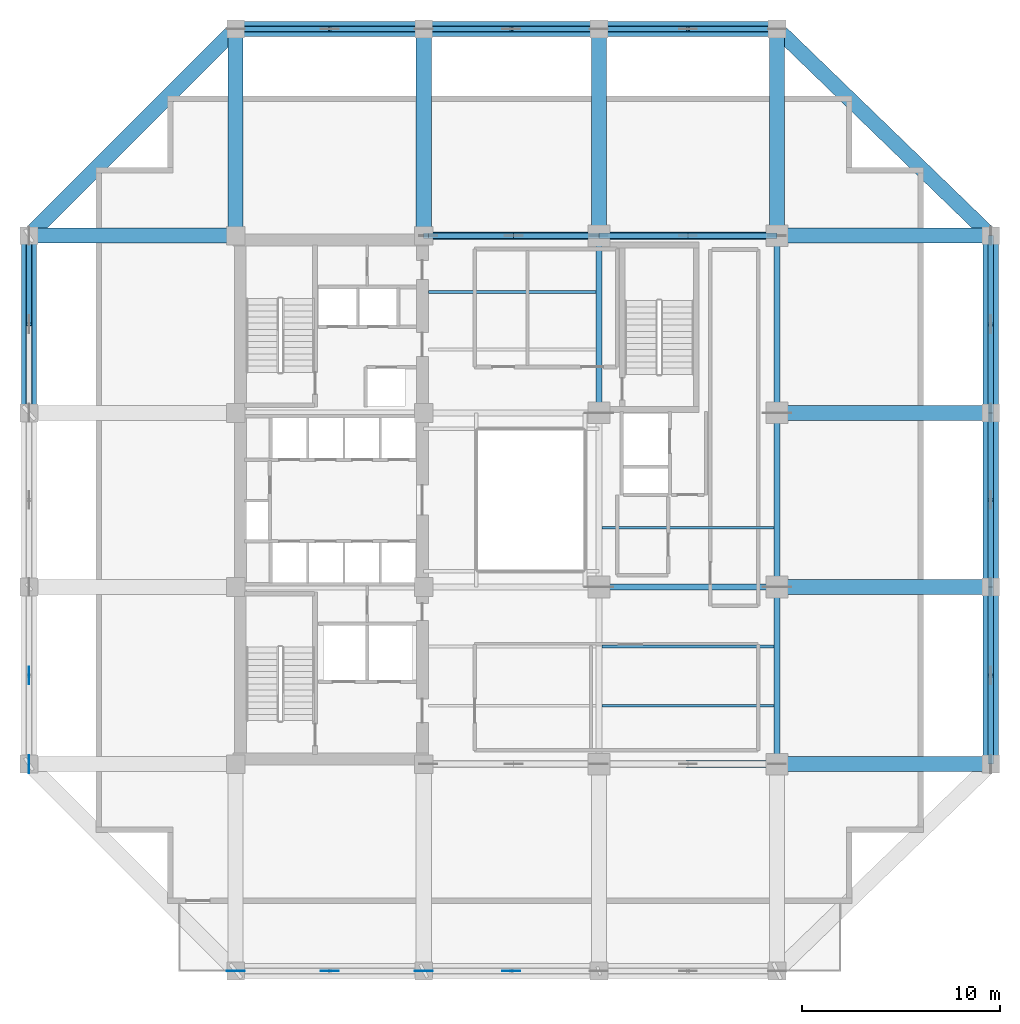
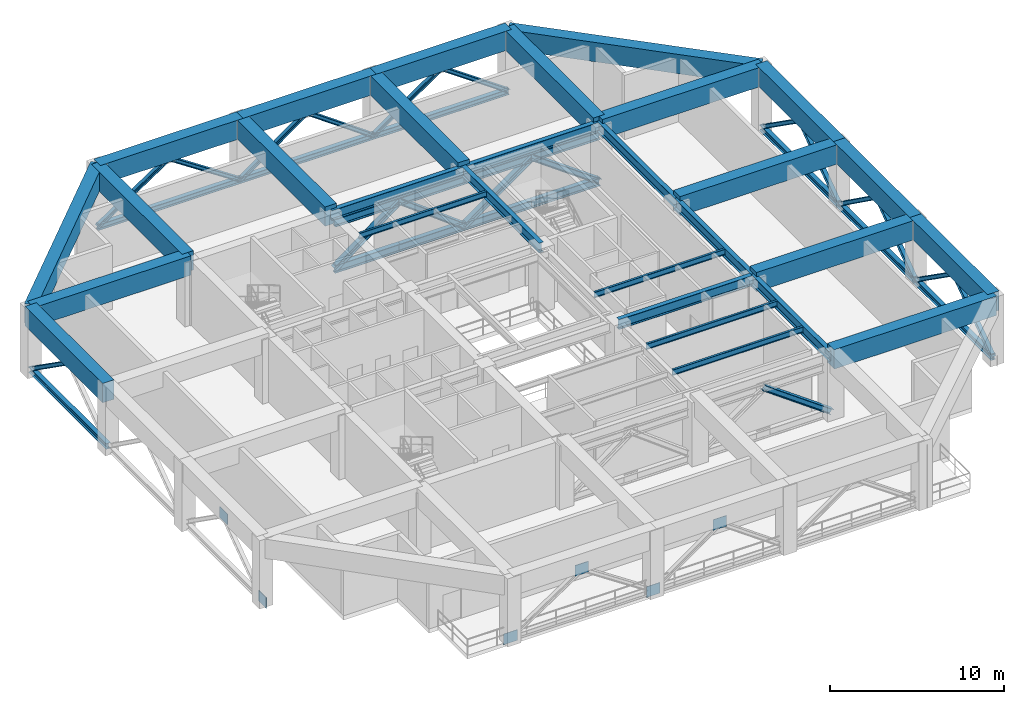
# One storey, part 2 of 10: 33 members, 29 beams, 6 plates.
"""IFC4 building model written with IfcOpenShell, lengths in metres."""

from ifc_helpers import new_model, si_unit, direction, frame, origin, origin_2d, place, context, subcontext, project, spatial, rectangle, i_section, extrude, material, layer, layer_set, material_profile, profile_set, type_object, element, save


model = new_model("IFC4")

# Units and contexts
model_context = context("Model", 3, precision=1e-05, world=origin(), true_north=direction((0.0, 1.0)))
body_context = subcontext(model_context, "Body", "Model", "MODEL_VIEW")
ifc_project = project(units=[si_unit("LENGTHUNIT", "METRE"), si_unit("AREAUNIT", "SQUARE_METRE"), si_unit("VOLUMEUNIT", "CUBIC_METRE"), si_unit("PLANEANGLEUNIT", "RADIAN"), si_unit("MASSUNIT", "GRAM", prefix="KILO")], contexts=[model_context])

# Site, building, storey
site_placement = place(None, origin())
site = spatial("IfcSite", under=ifc_project, at=site_placement, CompositionType="ELEMENT")
building_placement = place(site_placement, origin())
building = spatial("IfcBuilding", under=site, at=building_placement, Name="Kundavana Baori Tower", CompositionType="ELEMENT")
storey_placement = place(building_placement, frame((0.0, 0.0, 94.0)))
storey = spatial("IfcBuildingStorey", under=building, at=storey_placement, Name="L22", CompositionType="ELEMENT", Elevation=94.0)

# Beams
ifc_material_1 = material(Name="Structural Steel S355JR", Category="steel")
ifc_material_profile_1 = material_profile(ifc_material_1, i_section(OverallWidth=0.139892578125, OverallDepth=0.39990234375, WebThickness=0.0087890625, FlangeThickness=0.01611328125, FilletRadius=0.013916015625, at=origin_2d()), Name="ISMB 400")
ifc_profile_set_1 = profile_set([ifc_material_profile_1], Name="Structural Steel S355JR")
beam_type_1 = type_object("IfcBeamType", Name="BM-JST-400", PredefinedType="JOIST", material=ifc_profile_set_1)
beam_1_placement = place(storey_placement, frame((25.179931640625, 39.10009765625, 4.300048828125), z_axis=(1.0, 0.0, 0.0), x_axis=(0.0, 1.0, 0.0)))
element("IfcBeam", 1, at=beam_1_placement, inside=storey, type_object=beam_type_1, Name="L22 Central Bay Composite Floor Joist C4", PredefinedType="JOIST", context=body_context, shape_type="SweptSolid", body=[
    extrude(i_section(OverallWidth=0.139892578125, OverallDepth=0.39990234375, WebThickness=0.0087890625, FlangeThickness=0.01611328125, FilletRadius=0.013916015625, at=origin_2d()), origin(), (0.0, 0.0, 1.0), 8.469970703125),
])
for number, where, z_axis, x_axis, name in (
    (2, (33.949951171875, 18.199951171875, 4.300048828125), (1.0, 0.0, 0.0), (0.0, 1.0, 0.0), "L22 East Bay Composite Floor Joist E1"),
    (3, (33.949951171875, 21.199951171875, 4.300048828125), (1.0, 0.0, 0.0), (0.0, 1.0, 0.0), "L22 East Bay Composite Floor Joist E2"),
    (4, (33.949951171875, 27.199951171875, 4.300048828125), (1.0, 0.0, 0.0), (0.0, 1.0, 0.0), "L22 East Bay Composite Floor Joist E3"),
):
    element("IfcBeam", number, at=place(storey_placement, frame(where, z_axis=z_axis, x_axis=x_axis)), inside=storey, type_object=beam_type_1, Name=name, PredefinedType="JOIST", context=body_context, shape_type="SweptSolid", body=[
        extrude(i_section(OverallWidth=0.139892578125, OverallDepth=0.39990234375, WebThickness=0.0087890625, FlangeThickness=0.01611328125, FilletRadius=0.013916015625, at=origin_2d()), origin(), (0.0, 0.0, 1.0), 8.699951171875),
    ])
ifc_material_2 = material(Name="Structural Steel S355JR", Category="steel")
ifc_material_profile_2 = material_profile(ifc_material_2, i_section(OverallWidth=0.300048828125, OverallDepth=0.699951171875, WebThickness=0.014404296875, FlangeThickness=0.02392578125, FilletRadius=0.02392578125, at=origin_2d()), Name="NPB 700x300x170")
ifc_profile_set_2 = profile_set([ifc_material_profile_2], Name="Structural Steel S355JR")
beam_type_2 = type_object("IfcBeamType", Name="BM-ST-700", PredefinedType="BEAM", material=ifc_profile_set_2)
beam_2_placement = place(storey_placement, frame((33.800048828125, 24.199951171875, 4.14990234375), z_axis=(1.0, 0.0, 0.0), x_axis=(0.0, 1.0, 0.0)))
element("IfcBeam", 5, at=beam_2_placement, inside=storey, type_object=beam_type_2, Name="L22 Primary Grid Girder GX-2-3", PredefinedType="BEAM", context=body_context, shape_type="SweptSolid", body=[
    extrude(i_section(OverallWidth=0.300048828125, OverallDepth=0.699951171875, WebThickness=0.014404296875, FlangeThickness=0.02392578125, FilletRadius=0.02392578125, at=origin_2d()), origin(), (0.0, 0.0, 1.0), 9.0),
])
beam_3_placement = place(storey_placement, frame((24.949951171875, 41.949951171875, 4.14990234375), z_axis=(1.0, 0.0, 0.0), x_axis=(0.0, 1.0, 0.0)))
element("IfcBeam", 6, at=beam_3_placement, inside=storey, type_object=beam_type_2, Name="L22 Primary Grid Girder GX-4-2", PredefinedType="BEAM", context=body_context, shape_type="SweptSolid", body=[
    extrude(i_section(OverallWidth=0.300048828125, OverallDepth=0.699951171875, WebThickness=0.014404296875, FlangeThickness=0.02392578125, FilletRadius=0.02392578125, at=origin_2d()), origin(), (0.0, 0.0, 1.0), 8.85009765625),
])
beam_4_placement = place(storey_placement, frame((33.800048828125, 41.949951171875, 4.14990234375), z_axis=(1.0, 0.0, 0.0), x_axis=(0.0, 1.0, 0.0)))
element("IfcBeam", 7, at=beam_4_placement, inside=storey, type_object=beam_type_2, Name="L22 Primary Grid Girder GX-4-3", PredefinedType="BEAM", context=body_context, shape_type="SweptSolid", body=[
    extrude(i_section(OverallWidth=0.300048828125, OverallDepth=0.699951171875, WebThickness=0.014404296875, FlangeThickness=0.02392578125, FilletRadius=0.02392578125, at=origin_2d()), origin(), (0.0, 0.0, 1.0), 9.0),
])
for number, where, z_axis, x_axis, name in (
    (8, (33.800048828125, 33.0, 4.14990234375), (0.0, 1.0, 0.0), (-1.0, 0.0, 0.0), "L22 Primary Grid Girder GY-3-3"),
    (9, (42.800048828125, 15.25, 4.14990234375), (0.0, 1.0, 0.0), (-1.0, 0.0, 0.0), "L22 Primary Grid Girder GY-4-1"),
):
    element("IfcBeam", number, at=place(storey_placement, frame(where, z_axis=z_axis, x_axis=x_axis)), inside=storey, type_object=beam_type_2, Name=name, PredefinedType="BEAM", context=body_context, shape_type="SweptSolid", body=[
        extrude(i_section(OverallWidth=0.300048828125, OverallDepth=0.699951171875, WebThickness=0.014404296875, FlangeThickness=0.02392578125, FilletRadius=0.02392578125, at=origin_2d()), origin(), (0.0, 0.0, 1.0), 8.949951171875),
    ])
beam_5_placement = place(storey_placement, frame((42.800048828125, 24.199951171875, 4.14990234375), z_axis=(0.0, 1.0, 0.0), x_axis=(-1.0, 0.0, 0.0)))
element("IfcBeam", 10, at=beam_5_placement, inside=storey, type_object=beam_type_2, Name="L22 Primary Grid Girder GY-4-2", PredefinedType="BEAM", context=body_context, shape_type="SweptSolid", body=[
    extrude(i_section(OverallWidth=0.300048828125, OverallDepth=0.699951171875, WebThickness=0.014404296875, FlangeThickness=0.02392578125, FilletRadius=0.02392578125, at=origin_2d()), origin(), (0.0, 0.0, 1.0), 8.800048828125),
])
beam_6_placement = place(storey_placement, frame((42.800048828125, 33.0, 4.14990234375), z_axis=(0.0, 1.0, 0.0), x_axis=(-1.0, 0.0, 0.0)))
element("IfcBeam", 11, at=beam_6_placement, inside=storey, type_object=beam_type_2, Name="L22 Primary Grid Girder GY-4-3", PredefinedType="BEAM", context=body_context, shape_type="SweptSolid", body=[
    extrude(i_section(OverallWidth=0.300048828125, OverallDepth=0.699951171875, WebThickness=0.014404296875, FlangeThickness=0.02392578125, FilletRadius=0.02392578125, at=origin_2d()), origin(), (0.0, 0.0, 1.0), 8.949951171875),
])
ifc_material_3 = material(Name="Concrete C50/60", Category="concrete")
ifc_material_profile_3 = material_profile(ifc_material_3, rectangle(XDim=0.760009765625, YDim=1.360107421875, at=origin_2d()), Name="BM-TG-3")
ifc_profile_set_3 = profile_set([ifc_material_profile_3], Name="Concrete C50/60")
beam_type_3 = type_object("IfcBeamType", Name="BM-TG-3", PredefinedType="USERDEFINED", material=ifc_profile_set_3)
beam_7_placement = place(storey_placement, frame((15.449951171875, 52.39990234375, 4.1201171875), z_axis=(1.0, 0.0, 0.0), x_axis=(0.0, 1.0, 0.0)))
element("IfcBeam", 12, at=beam_7_placement, inside=storey, type_object=beam_type_3, Name="L22 Perimeter Frame Ring Beam N1", ObjectType="TRANSFER GIRDER", PredefinedType="USERDEFINED", context=body_context, shape_type="SweptSolid", body=[
    extrude(rectangle(XDim=0.760009765625, YDim=1.360107421875, at=origin_2d()), origin(), (0.0, 0.0, 1.0), 9.5),
])
beam_8_placement = place(storey_placement, frame((24.949951171875, 52.39990234375, 4.1201171875), z_axis=(1.0, 0.0, 0.0), x_axis=(0.0, 1.0, 0.0)))
element("IfcBeam", 13, at=beam_8_placement, inside=storey, type_object=beam_type_3, Name="L22 Perimeter Frame Ring Beam N2", ObjectType="TRANSFER GIRDER", PredefinedType="USERDEFINED", context=body_context, shape_type="SweptSolid", body=[
    extrude(rectangle(XDim=0.760009765625, YDim=1.360107421875, at=origin_2d()), origin(), (0.0, 0.0, 1.0), 8.85009765625),
])
beam_9_placement = place(storey_placement, frame((33.800048828125, 52.39990234375, 4.1201171875), z_axis=(1.0, 0.0, 0.0), x_axis=(0.0, 1.0, 0.0)))
element("IfcBeam", 14, at=beam_9_placement, inside=storey, type_object=beam_type_3, Name="L22 Perimeter Frame Ring Beam N3", ObjectType="TRANSFER GIRDER", PredefinedType="USERDEFINED", context=body_context, shape_type="SweptSolid", body=[
    extrude(rectangle(XDim=0.760009765625, YDim=1.360107421875, at=origin_2d()), origin(), (0.0, 0.0, 1.0), 9.0),
])
for number, where, z_axis, x_axis, name in (
    (15, (5.0, 33.0, 4.1201171875), (0.0, 1.0, 0.0), (-1.0, 0.0, 0.0), "L22 Perimeter Frame Ring Beam W3"),
    (16, (53.60009765625, 15.25, 4.1201171875), (0.0, 1.0, 0.0), (-1.0, 0.0, 0.0), "L22 Perimeter Frame Ring Beam E1"),
):
    element("IfcBeam", number, at=place(storey_placement, frame(where, z_axis=z_axis, x_axis=x_axis)), inside=storey, type_object=beam_type_3, Name=name, ObjectType="TRANSFER GIRDER", PredefinedType="USERDEFINED", context=body_context, shape_type="SweptSolid", body=[
        extrude(rectangle(XDim=0.760009765625, YDim=1.360107421875, at=origin_2d()), origin(), (0.0, 0.0, 1.0), 8.949951171875),
    ])
beam_10_placement = place(storey_placement, frame((53.60009765625, 24.199951171875, 4.1201171875), z_axis=(0.0, 1.0, 0.0), x_axis=(-1.0, 0.0, 0.0)))
element("IfcBeam", 17, at=beam_10_placement, inside=storey, type_object=beam_type_3, Name="L22 Perimeter Frame Ring Beam E2", ObjectType="TRANSFER GIRDER", PredefinedType="USERDEFINED", context=body_context, shape_type="SweptSolid", body=[
    extrude(rectangle(XDim=0.760009765625, YDim=1.360107421875, at=origin_2d()), origin(), (0.0, 0.0, 1.0), 8.800048828125),
])
beam_11_placement = place(storey_placement, frame((53.60009765625, 33.0, 4.1201171875), z_axis=(0.0, 1.0, 0.0), x_axis=(-1.0, 0.0, 0.0)))
element("IfcBeam", 18, at=beam_11_placement, inside=storey, type_object=beam_type_3, Name="L22 Perimeter Frame Ring Beam E3", ObjectType="TRANSFER GIRDER", PredefinedType="USERDEFINED", context=body_context, shape_type="SweptSolid", body=[
    extrude(rectangle(XDim=0.760009765625, YDim=1.360107421875, at=origin_2d()), origin(), (0.0, 0.0, 1.0), 8.949951171875),
])
beam_12_placement = place(storey_placement, frame((15.449951171875, 52.39990234375, 4.1201171875), z_axis=(-0.707106781187, -0.707106781187, 0.0), x_axis=(0.707106781187, -0.707106781187, 0.0)))
element("IfcBeam", 19, at=beam_12_placement, inside=storey, type_object=beam_type_3, Name="L22 Notched Corner Perimeter Beam NW", ObjectType="TRANSFER GIRDER", PredefinedType="USERDEFINED", context=body_context, shape_type="SweptSolid", body=[
    extrude(rectangle(XDim=0.760009765625, YDim=1.360107421875, at=origin_2d()), origin(), (0.0, 0.0, 1.0), 14.778564453125),
])
beam_13_placement = place(storey_placement, frame((42.800048828125, 52.39990234375, 4.1201171875), z_axis=(0.718658968601, -0.695362701653, 0.0), x_axis=(0.695362701653, 0.718658968601, 0.0)))
element("IfcBeam", 20, at=beam_13_placement, inside=storey, type_object=beam_type_3, Name="L22 Notched Corner Perimeter Beam NE", ObjectType="TRANSFER GIRDER", PredefinedType="USERDEFINED", context=body_context, shape_type="SweptSolid", body=[
    extrude(rectangle(XDim=0.760009765625, YDim=1.360107421875, at=origin_2d()), origin(), (0.0, 0.0, 1.0), 15.028076171875),
])
for number, where, z_axis, x_axis, name in (
    (21, (15.449951171875, 41.949951171875, 4.1201171875), (0.0, 1.0, 0.0), (-1.0, 0.0, 0.0), "L22 North Radial Transfer Girder N1"),
    (22, (24.949951171875, 41.949951171875, 4.1201171875), (0.0, 1.0, 0.0), (-1.0, 0.0, 0.0), "L22 North Radial Transfer Girder N2"),
    (23, (33.800048828125, 41.949951171875, 4.1201171875), (0.0, 1.0, 0.0), (-1.0, 0.0, 0.0), "L22 North Radial Transfer Girder N3"),
    (24, (42.800048828125, 41.949951171875, 4.1201171875), (0.0, 1.0, 0.0), (-1.0, 0.0, 0.0), "L22 North Radial Transfer Girder N4"),
):
    element("IfcBeam", number, at=place(storey_placement, frame(where, z_axis=z_axis, x_axis=x_axis)), inside=storey, type_object=beam_type_3, Name=name, ObjectType="TRANSFER GIRDER", PredefinedType="USERDEFINED", context=body_context, shape_type="SweptSolid", body=[
        extrude(rectangle(XDim=0.760009765625, YDim=1.360107421875, at=origin_2d()), origin(), (0.0, 0.0, 1.0), 10.449951171875),
    ])
for number, where, z_axis, x_axis, name in (
    (25, (42.800048828125, 15.25, 4.1201171875), (1.0, 0.0, 0.0), (0.0, 1.0, 0.0), "L22 East Radial Transfer Girder E1"),
    (26, (42.800048828125, 24.199951171875, 4.1201171875), (1.0, 0.0, 0.0), (0.0, 1.0, 0.0), "L22 East Radial Transfer Girder E2"),
    (27, (42.800048828125, 33.0, 4.1201171875), (1.0, 0.0, 0.0), (0.0, 1.0, 0.0), "L22 East Radial Transfer Girder E3"),
):
    element("IfcBeam", number, at=place(storey_placement, frame(where, z_axis=z_axis, x_axis=x_axis)), inside=storey, type_object=beam_type_3, Name=name, ObjectType="TRANSFER GIRDER", PredefinedType="USERDEFINED", context=body_context, shape_type="SweptSolid", body=[
        extrude(rectangle(XDim=0.760009765625, YDim=1.360107421875, at=origin_2d()), origin(), (0.0, 0.0, 1.0), 10.800048828125),
    ])
beam_14_placement = place(storey_placement, frame((15.449951171875, 41.949951171875, 4.1201171875), z_axis=(-1.0, 0.0, 0.0), x_axis=(0.0, -1.0, 0.0)))
element("IfcBeam", 28, at=beam_14_placement, inside=storey, type_object=beam_type_3, Name="L22 West Radial Transfer Girder W4", ObjectType="TRANSFER GIRDER", PredefinedType="USERDEFINED", context=body_context, shape_type="SweptSolid", body=[
    extrude(rectangle(XDim=0.760009765625, YDim=1.360107421875, at=origin_2d()), origin(), (0.0, 0.0, 1.0), 10.449951171875),
])
beam_15_placement = place(storey_placement, frame((42.800048828125, 41.949951171875, 4.1201171875), z_axis=(1.0, 0.0, 0.0), x_axis=(0.0, 1.0, 0.0)))
element("IfcBeam", 29, at=beam_15_placement, inside=storey, type_object=beam_type_3, Name="L22 East Radial Transfer Girder E4", ObjectType="TRANSFER GIRDER", PredefinedType="USERDEFINED", context=body_context, shape_type="SweptSolid", body=[
    extrude(rectangle(XDim=0.760009765625, YDim=1.360107421875, at=origin_2d()), origin(), (0.0, 0.0, 1.0), 10.800048828125),
])

# Members
ifc_material_4 = material(Name="Structural Steel S355JR", Category="steel")
ifc_material_profile_4 = material_profile(ifc_material_4, i_section(OverallWidth=0.300048828125, OverallDepth=0.39990234375, WebThickness=0.013427734375, FlangeThickness=0.02392578125, FilletRadius=0.02392578125, at=origin_2d()), Name="WPB 400x300x135")
ifc_profile_set_4 = profile_set([ifc_material_profile_4], Name="Structural Steel S355JR")
member_type_1 = type_object("IfcMemberType", Name="MEM-BT-CH400", PredefinedType="CHORD", material=ifc_profile_set_4)
member_1_placement = place(storey_placement, frame((15.449951171875, 52.39990234375, 0.280029296875), z_axis=(1.0, 0.0, 0.0), x_axis=(0.0, 1.0, 0.0)))
element("IfcMember", 30, at=member_1_placement, inside=storey, type_object=member_type_1, Name="L22 Perimeter Belt Truss Bottom Chord N1", PredefinedType="CHORD", context=body_context, shape_type="SweptSolid", body=[
    extrude(i_section(OverallWidth=0.300048828125, OverallDepth=0.39990234375, WebThickness=0.013427734375, FlangeThickness=0.02392578125, FilletRadius=0.02392578125, at=origin_2d()), origin(), (0.0, 0.0, 1.0), 9.5),
])
member_2_placement = place(storey_placement, frame((24.949951171875, 52.39990234375, 0.280029296875), z_axis=(1.0, 0.0, 0.0), x_axis=(0.0, 1.0, 0.0)))
element("IfcMember", 31, at=member_2_placement, inside=storey, type_object=member_type_1, Name="L22 Perimeter Belt Truss Bottom Chord N2", PredefinedType="CHORD", context=body_context, shape_type="SweptSolid", body=[
    extrude(i_section(OverallWidth=0.300048828125, OverallDepth=0.39990234375, WebThickness=0.013427734375, FlangeThickness=0.02392578125, FilletRadius=0.02392578125, at=origin_2d()), origin(), (0.0, 0.0, 1.0), 8.85009765625),
])
member_3_placement = place(storey_placement, frame((33.800048828125, 52.39990234375, 0.280029296875), z_axis=(1.0, 0.0, 0.0), x_axis=(0.0, 1.0, 0.0)))
element("IfcMember", 32, at=member_3_placement, inside=storey, type_object=member_type_1, Name="L22 Perimeter Belt Truss Bottom Chord N3", PredefinedType="CHORD", context=body_context, shape_type="SweptSolid", body=[
    extrude(i_section(OverallWidth=0.300048828125, OverallDepth=0.39990234375, WebThickness=0.013427734375, FlangeThickness=0.02392578125, FilletRadius=0.02392578125, at=origin_2d()), origin(), (0.0, 0.0, 1.0), 9.0),
])
for number, where, z_axis, x_axis, name in (
    (33, (5.0, 33.0, 0.280029296875), (0.0, 1.0, 0.0), (-1.0, 0.0, 0.0), "L22 Perimeter Belt Truss Bottom Chord W3"),
    (34, (53.60009765625, 15.25, 0.280029296875), (0.0, 1.0, 0.0), (-1.0, 0.0, 0.0), "L22 Perimeter Belt Truss Bottom Chord E1"),
):
    element("IfcMember", number, at=place(storey_placement, frame(where, z_axis=z_axis, x_axis=x_axis)), inside=storey, type_object=member_type_1, Name=name, PredefinedType="CHORD", context=body_context, shape_type="SweptSolid", body=[
        extrude(i_section(OverallWidth=0.300048828125, OverallDepth=0.39990234375, WebThickness=0.013427734375, FlangeThickness=0.02392578125, FilletRadius=0.02392578125, at=origin_2d()), origin(), (0.0, 0.0, 1.0), 8.949951171875),
    ])
member_4_placement = place(storey_placement, frame((53.60009765625, 24.199951171875, 0.280029296875), z_axis=(0.0, 1.0, 0.0), x_axis=(-1.0, 0.0, 0.0)))
element("IfcMember", 35, at=member_4_placement, inside=storey, type_object=member_type_1, Name="L22 Perimeter Belt Truss Bottom Chord E2", PredefinedType="CHORD", context=body_context, shape_type="SweptSolid", body=[
    extrude(i_section(OverallWidth=0.300048828125, OverallDepth=0.39990234375, WebThickness=0.013427734375, FlangeThickness=0.02392578125, FilletRadius=0.02392578125, at=origin_2d()), origin(), (0.0, 0.0, 1.0), 8.800048828125),
])
member_5_placement = place(storey_placement, frame((53.60009765625, 33.0, 0.280029296875), z_axis=(0.0, 1.0, 0.0), x_axis=(-1.0, 0.0, 0.0)))
element("IfcMember", 36, at=member_5_placement, inside=storey, type_object=member_type_1, Name="L22 Perimeter Belt Truss Bottom Chord E3", PredefinedType="CHORD", context=body_context, shape_type="SweptSolid", body=[
    extrude(i_section(OverallWidth=0.300048828125, OverallDepth=0.39990234375, WebThickness=0.013427734375, FlangeThickness=0.02392578125, FilletRadius=0.02392578125, at=origin_2d()), origin(), (0.0, 0.0, 1.0), 8.949951171875),
])
ifc_material_5 = material(Name="Structural Steel S355JR", Category="steel")
ifc_material_profile_5 = material_profile(ifc_material_5, i_section(OverallWidth=0.260009765625, OverallDepth=0.260009765625, WebThickness=0.010009765625, FlangeThickness=0.017578125, FilletRadius=0.02392578125, at=origin_2d()), Name="WPB 260x260x93")
ifc_profile_set_5 = profile_set([ifc_material_profile_5], Name="Structural Steel S355JR")
member_type_2 = type_object("IfcMemberType", Name="MEM-BT-DG260", PredefinedType="BRACE", material=ifc_profile_set_5)
for number, where, z_axis, x_axis, name in (
    (37, (15.449951171875, 52.39990234375, 0.280029296875), (0.832596334619, 0.0, 0.553880261049), (0.0, 1.0, 0.0), "L22 Perimeter Belt Truss Diagonal N1A"),
    (38, (24.949951171875, 52.39990234375, 0.280029296875), (-0.832596334619, 0.0, 0.553880261049), (0.0, -1.0, 0.0), "L22 Perimeter Belt Truss Diagonal N1B"),
):
    element("IfcMember", number, at=place(storey_placement, frame(where, z_axis=z_axis, x_axis=x_axis)), inside=storey, type_object=member_type_2, Name=name, PredefinedType="BRACE", context=body_context, shape_type="SweptSolid", body=[
        extrude(i_section(OverallWidth=0.260009765625, OverallDepth=0.260009765625, WebThickness=0.010009765625, FlangeThickness=0.017578125, FilletRadius=0.02392578125, at=origin_2d()), origin(), (0.0, 0.0, 1.0), 5.705078125),
    ])
for number, where, z_axis, x_axis, name in (
    (39, (24.949951171875, 52.39990234375, 0.280029296875), (0.813806275076, 0.0, 0.581136254803), (0.0, 1.0, 0.0), "L22 Perimeter Belt Truss Diagonal N2A"),
    (40, (33.800048828125, 52.39990234375, 0.280029296875), (-0.813806275076, 0.0, 0.581136254803), (0.0, -1.0, 0.0), "L22 Perimeter Belt Truss Diagonal N2B"),
):
    element("IfcMember", number, at=place(storey_placement, frame(where, z_axis=z_axis, x_axis=x_axis)), inside=storey, type_object=member_type_2, Name=name, PredefinedType="BRACE", context=body_context, shape_type="SweptSolid", body=[
        extrude(i_section(OverallWidth=0.260009765625, OverallDepth=0.260009765625, WebThickness=0.010009765625, FlangeThickness=0.017578125, FilletRadius=0.02392578125, at=origin_2d()), origin(), (0.0, 0.0, 1.0), 5.4375),
    ])
for number, where, z_axis, x_axis, name in (
    (41, (33.800048828125, 52.39990234375, 0.280029296875), (0.818384145873, 0.0, 0.574671549481), (0.0, 1.0, 0.0), "L22 Perimeter Belt Truss Diagonal N3A"),
    (42, (42.800048828125, 52.39990234375, 0.280029296875), (-0.818384145873, 0.0, 0.574671549481), (0.0, -1.0, 0.0), "L22 Perimeter Belt Truss Diagonal N3B"),
):
    element("IfcMember", number, at=place(storey_placement, frame(where, z_axis=z_axis, x_axis=x_axis)), inside=storey, type_object=member_type_2, Name=name, PredefinedType="BRACE", context=body_context, shape_type="SweptSolid", body=[
        extrude(i_section(OverallWidth=0.260009765625, OverallDepth=0.260009765625, WebThickness=0.010009765625, FlangeThickness=0.017578125, FilletRadius=0.02392578125, at=origin_2d()), origin(), (0.0, 0.0, 1.0), 5.49853515625),
    ])
member_6_placement = place(storey_placement, frame((5.0, 41.949951171875, 0.280029296875), z_axis=(0.0, -0.816865336366, 0.57682841664), x_axis=(1.0, 0.0, 0.0)))
element("IfcMember", 43, at=member_6_placement, inside=storey, type_object=member_type_2, Name="L22 Perimeter Belt Truss Diagonal W3B", PredefinedType="BRACE", context=body_context, shape_type="SweptSolid", body=[
    extrude(i_section(OverallWidth=0.260009765625, OverallDepth=0.260009765625, WebThickness=0.010009765625, FlangeThickness=0.017578125, FilletRadius=0.02392578125, at=origin_2d()), origin(), (0.0, 0.0, 1.0), 5.47802734375),
])
member_7_placement = place(storey_placement, frame((53.60009765625, 15.25, 0.280029296875), z_axis=(0.0, 0.816880164322, 0.576807417721), x_axis=(-1.0, 0.0, 0.0)))
element("IfcMember", 44, at=member_7_placement, inside=storey, type_object=member_type_2, Name="L22 Perimeter Belt Truss Diagonal E1A", PredefinedType="BRACE", context=body_context, shape_type="SweptSolid", body=[
    extrude(i_section(OverallWidth=0.260009765625, OverallDepth=0.260009765625, WebThickness=0.010009765625, FlangeThickness=0.017578125, FilletRadius=0.02392578125, at=origin_2d()), origin(), (0.0, 0.0, 1.0), 5.478271484375),
])
member_8_placement = place(storey_placement, frame((53.60009765625, 24.199951171875, 0.280029296875), z_axis=(0.0, -0.816865336366, 0.57682841664), x_axis=(1.0, 0.0, 0.0)))
element("IfcMember", 45, at=member_8_placement, inside=storey, type_object=member_type_2, Name="L22 Perimeter Belt Truss Diagonal E1B", PredefinedType="BRACE", context=body_context, shape_type="SweptSolid", body=[
    extrude(i_section(OverallWidth=0.260009765625, OverallDepth=0.260009765625, WebThickness=0.010009765625, FlangeThickness=0.017578125, FilletRadius=0.02392578125, at=origin_2d()), origin(), (0.0, 0.0, 1.0), 5.47802734375),
])
member_9_placement = place(storey_placement, frame((53.60009765625, 24.199951171875, 0.280029296875), z_axis=(0.0, 0.812250915444, 0.583308195006), x_axis=(-1.0, 0.0, 0.0)))
element("IfcMember", 46, at=member_9_placement, inside=storey, type_object=member_type_2, Name="L22 Perimeter Belt Truss Diagonal E2A", PredefinedType="BRACE", context=body_context, shape_type="SweptSolid", body=[
    extrude(i_section(OverallWidth=0.260009765625, OverallDepth=0.260009765625, WebThickness=0.010009765625, FlangeThickness=0.017578125, FilletRadius=0.02392578125, at=origin_2d()), origin(), (0.0, 0.0, 1.0), 5.417236328125),
])
member_10_placement = place(storey_placement, frame((53.60009765625, 33.0, 0.280029296875), z_axis=(0.0, -0.812235580467, 0.583329548218), x_axis=(1.0, 0.0, 0.0)))
element("IfcMember", 47, at=member_10_placement, inside=storey, type_object=member_type_2, Name="L22 Perimeter Belt Truss Diagonal E2B", PredefinedType="BRACE", context=body_context, shape_type="SweptSolid", body=[
    extrude(i_section(OverallWidth=0.260009765625, OverallDepth=0.260009765625, WebThickness=0.010009765625, FlangeThickness=0.017578125, FilletRadius=0.02392578125, at=origin_2d()), origin(), (0.0, 0.0, 1.0), 5.4169921875),
])
member_11_placement = place(storey_placement, frame((53.60009765625, 33.0, 0.280029296875), z_axis=(0.0, 0.816880164322, 0.576807417721), x_axis=(-1.0, 0.0, 0.0)))
element("IfcMember", 48, at=member_11_placement, inside=storey, type_object=member_type_2, Name="L22 Perimeter Belt Truss Diagonal E3A", PredefinedType="BRACE", context=body_context, shape_type="SweptSolid", body=[
    extrude(i_section(OverallWidth=0.260009765625, OverallDepth=0.260009765625, WebThickness=0.010009765625, FlangeThickness=0.017578125, FilletRadius=0.02392578125, at=origin_2d()), origin(), (0.0, 0.0, 1.0), 5.478271484375),
])
member_12_placement = place(storey_placement, frame((53.60009765625, 41.949951171875, 0.280029296875), z_axis=(0.0, -0.816865336366, 0.57682841664), x_axis=(1.0, 0.0, 0.0)))
element("IfcMember", 49, at=member_12_placement, inside=storey, type_object=member_type_2, Name="L22 Perimeter Belt Truss Diagonal E3B", PredefinedType="BRACE", context=body_context, shape_type="SweptSolid", body=[
    extrude(i_section(OverallWidth=0.260009765625, OverallDepth=0.260009765625, WebThickness=0.010009765625, FlangeThickness=0.017578125, FilletRadius=0.02392578125, at=origin_2d()), origin(), (0.0, 0.0, 1.0), 5.47802734375),
])
ifc_material_6 = material(Name="Structural Steel S355JR", Category="steel")
ifc_material_profile_6 = material_profile(ifc_material_6, i_section(OverallWidth=0.300048828125, OverallDepth=0.550048828125, WebThickness=0.013916015625, FlangeThickness=0.02587890625, FilletRadius=0.02392578125, at=origin_2d()), Name="WPB 550x300x166")
ifc_profile_set_6 = profile_set([ifc_material_profile_6], Name="Structural Steel S355JR")
member_type_3 = type_object("IfcMemberType", Name="MEM-OT-CH550", PredefinedType="CHORD", material=ifc_profile_set_6)
for number, where, z_axis, x_axis, name in (
    (50, (25.179931640625, 41.949951171875, 0.280029296875), (1.0, 0.0, 0.0), (0.0, 1.0, 0.0), "L22 Outrigger Truss OT2 Bottom Chord 1A"),
    (51, (29.489990234375, 41.949951171875, 0.280029296875), (1.0, 0.0, 0.0), (0.0, 1.0, 0.0), "L22 Outrigger Truss OT2 Bottom Chord 1B"),
    (52, (25.179931640625, 41.949951171875, 3.52490234375), (1.0, 0.0, 0.0), (0.0, 1.0, 0.0), "L22 Outrigger Truss OT2 Top Chord 1A"),
    (53, (29.489990234375, 41.949951171875, 3.52490234375), (1.0, 0.0, 0.0), (0.0, 1.0, 0.0), "L22 Outrigger Truss OT2 Top Chord 1B"),
):
    element("IfcMember", number, at=place(storey_placement, frame(where, z_axis=z_axis, x_axis=x_axis)), inside=storey, type_object=member_type_3, Name=name, PredefinedType="CHORD", context=body_context, shape_type="SweptSolid", body=[
        extrude(i_section(OverallWidth=0.300048828125, OverallDepth=0.550048828125, WebThickness=0.013916015625, FlangeThickness=0.02587890625, FilletRadius=0.02392578125, at=origin_2d()), origin(), (0.0, 0.0, 1.0), 4.31005859375),
    ])
for number, where, z_axis, x_axis, name in (
    (54, (33.800048828125, 41.949951171875, 0.280029296875), (1.0, 0.0, 0.0), (0.0, 1.0, 0.0), "L22 Outrigger Truss OT2 Bottom Chord 2A"),
    (55, (38.300048828125, 41.949951171875, 0.280029296875), (1.0, 0.0, 0.0), (0.0, 1.0, 0.0), "L22 Outrigger Truss OT2 Bottom Chord 2B"),
    (56, (33.800048828125, 41.949951171875, 3.52490234375), (1.0, 0.0, 0.0), (0.0, 1.0, 0.0), "L22 Outrigger Truss OT2 Top Chord 2A"),
    (57, (38.300048828125, 41.949951171875, 3.52490234375), (1.0, 0.0, 0.0), (0.0, 1.0, 0.0), "L22 Outrigger Truss OT2 Top Chord 2B"),
):
    element("IfcMember", number, at=place(storey_placement, frame(where, z_axis=z_axis, x_axis=x_axis)), inside=storey, type_object=member_type_3, Name=name, PredefinedType="CHORD", context=body_context, shape_type="SweptSolid", body=[
        extrude(i_section(OverallWidth=0.300048828125, OverallDepth=0.550048828125, WebThickness=0.013916015625, FlangeThickness=0.02587890625, FilletRadius=0.02392578125, at=origin_2d()), origin(), (0.0, 0.0, 1.0), 4.5),
    ])
ifc_material_7 = material(Name="Structural Steel S355JR", Category="steel")
ifc_material_profile_7 = material_profile(ifc_material_7, i_section(OverallWidth=0.360107421875, OverallDepth=0.360107421875, WebThickness=0.012451171875, FlangeThickness=0.0224609375, FilletRadius=0.02392578125, at=origin_2d()), Name="WPB 360x360x142")
ifc_profile_set_7 = profile_set([ifc_material_profile_7], Name="Structural Steel S355JR")
member_type_4 = type_object("IfcMemberType", Name="MEM-OT-DG360", PredefinedType="BRACE", material=ifc_profile_set_7)
member_13_placement = place(storey_placement, frame((42.800048828125, 15.25, 0.280029296875), z_axis=(-0.811117632196, 0.0, 0.584883053902), x_axis=(0.0, -1.0, 0.0)))
element("IfcMember", 58, at=member_13_placement, inside=storey, type_object=member_type_4, Name="L22 Outrigger Truss OT1 Diagonal 2B", PredefinedType="BRACE", context=body_context, shape_type="SweptSolid", body=[
    extrude(i_section(OverallWidth=0.360107421875, OverallDepth=0.360107421875, WebThickness=0.012451171875, FlangeThickness=0.0224609375, FilletRadius=0.02392578125, at=origin_2d()), origin(), (0.0, 0.0, 1.0), 5.5478515625),
])
for number, where, z_axis, x_axis, name in (
    (59, (25.179931640625, 41.949951171875, 0.280029296875), (0.79890172308, 0.0, 0.60146158386), (0.0, 1.0, 0.0), "L22 Outrigger Truss OT2 Diagonal 1A"),
    (60, (33.800048828125, 41.949951171875, 0.280029296875), (-0.79890172308, 0.0, 0.60146158386), (0.0, -1.0, 0.0), "L22 Outrigger Truss OT2 Diagonal 1B"),
):
    element("IfcMember", number, at=place(storey_placement, frame(where, z_axis=z_axis, x_axis=x_axis)), inside=storey, type_object=member_type_4, Name=name, PredefinedType="BRACE", context=body_context, shape_type="SweptSolid", body=[
        extrude(i_section(OverallWidth=0.360107421875, OverallDepth=0.360107421875, WebThickness=0.012451171875, FlangeThickness=0.0224609375, FilletRadius=0.02392578125, at=origin_2d()), origin(), (0.0, 0.0, 1.0), 5.39501953125),
    ])
for number, where, z_axis, x_axis, name in (
    (61, (33.800048828125, 41.949951171875, 0.280029296875), (0.811117632196, 0.0, 0.584883053902), (0.0, 1.0, 0.0), "L22 Outrigger Truss OT2 Diagonal 2A"),
    (62, (42.800048828125, 41.949951171875, 0.280029296875), (-0.811117632196, 0.0, 0.584883053902), (0.0, -1.0, 0.0), "L22 Outrigger Truss OT2 Diagonal 2B"),
):
    element("IfcMember", number, at=place(storey_placement, frame(where, z_axis=z_axis, x_axis=x_axis)), inside=storey, type_object=member_type_4, Name=name, PredefinedType="BRACE", context=body_context, shape_type="SweptSolid", body=[
        extrude(i_section(OverallWidth=0.360107421875, OverallDepth=0.360107421875, WebThickness=0.012451171875, FlangeThickness=0.0224609375, FilletRadius=0.02392578125, at=origin_2d()), origin(), (0.0, 0.0, 1.0), 5.5478515625),
    ])

# Plates
ifc_material_8 = material(Name="Structural Steel S355JR", Category="steel")
ifc_layer = layer(ifc_material_8, 0.031982421875, Name="PLT-GUSSET-32")
ifc_layer_set = layer_set([ifc_layer], Name="Structural Steel S355JR")
plate_type = type_object("IfcPlateType", Name="PLT-GUSSET-32", PredefinedType="USERDEFINED", material=ifc_layer_set)
for number, where, z_axis, x_axis, name in (
    (63, (15.449951171875, 4.800048828125, -0.094970703125), (0.0, 0.0, 1.0), (1.0, 0.0, 0.0), "L22 Belt Truss S Gusset Plate 21"),
    (64, (24.949951171875, 4.800048828125, -0.094970703125), (0.0, 0.0, 1.0), (1.0, 0.0, 0.0), "L22 Belt Truss S Gusset Plate 22"),
    (65, (20.199951171875, 4.800048828125, 3.06494140625), (0.0, 0.0, 1.0), (1.0, 0.0, 0.0), "L22 Belt Truss Apex S Gusset Plate 23"),
    (66, (29.375, 4.800048828125, 3.06494140625), (0.0, 0.0, 1.0), (1.0, 0.0, 0.0), "L22 Belt Truss Apex S Gusset Plate 25"),
):
    element("IfcPlate", number, at=place(storey_placement, frame(where, z_axis=z_axis, x_axis=x_axis)), inside=storey, type_object=plate_type, Name=name, ObjectType="GUSSET PLATE", PredefinedType="USERDEFINED", context=body_context, shape_type="SweptSolid", body=[
        extrude(rectangle(XDim=0.89990234375, YDim=0.031982421875, at=origin_2d()), origin(), (0.0, 0.0, 1.0), 0.75),
    ])
for number, where, z_axis, x_axis, name in (
    (67, (5.0, 15.25, -0.094970703125), (0.0, 0.0, 1.0), (1.0, 0.0, 0.0), "L22 Belt Truss W Gusset Plate 35"),
    (68, (5.0, 19.72509765625, 3.06494140625), (0.0, 0.0, 1.0), (1.0, 0.0, 0.0), "L22 Belt Truss Apex W Gusset Plate 37"),
):
    element("IfcPlate", number, at=place(storey_placement, frame(where, z_axis=z_axis, x_axis=x_axis)), inside=storey, type_object=plate_type, Name=name, ObjectType="GUSSET PLATE", PredefinedType="USERDEFINED", context=body_context, shape_type="SweptSolid", body=[
        extrude(rectangle(XDim=0.031982421875, YDim=0.89990234375, at=origin_2d()), origin(), (0.0, 0.0, 1.0), 0.75),
    ])

save(model, "model.ifc")
